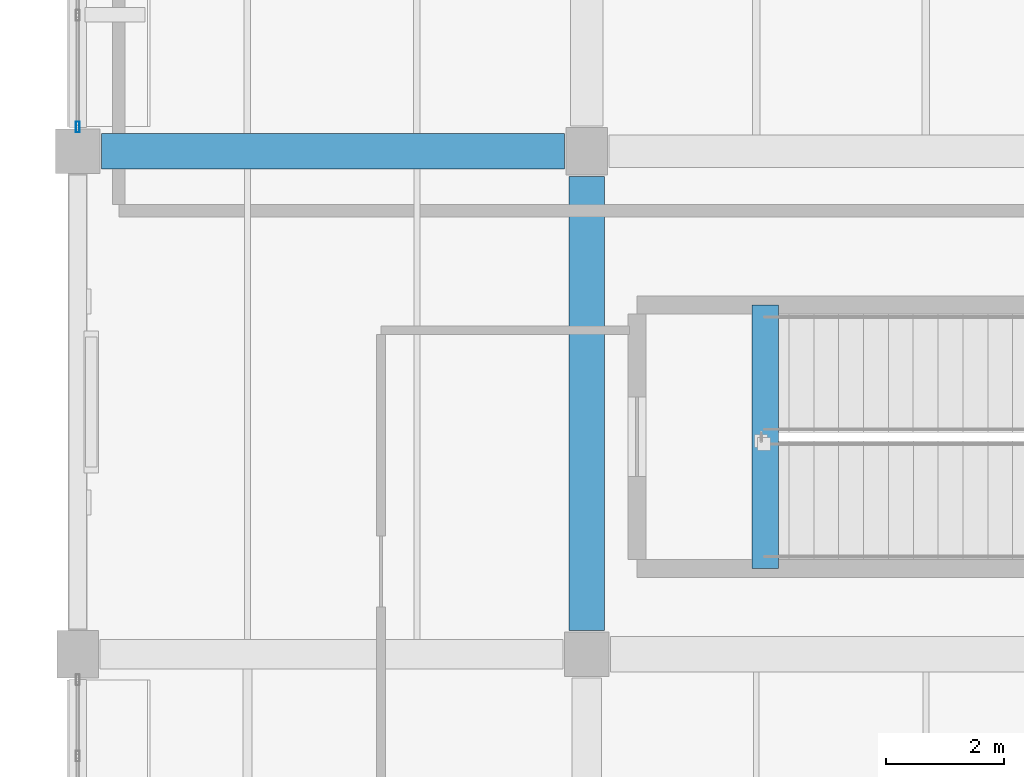
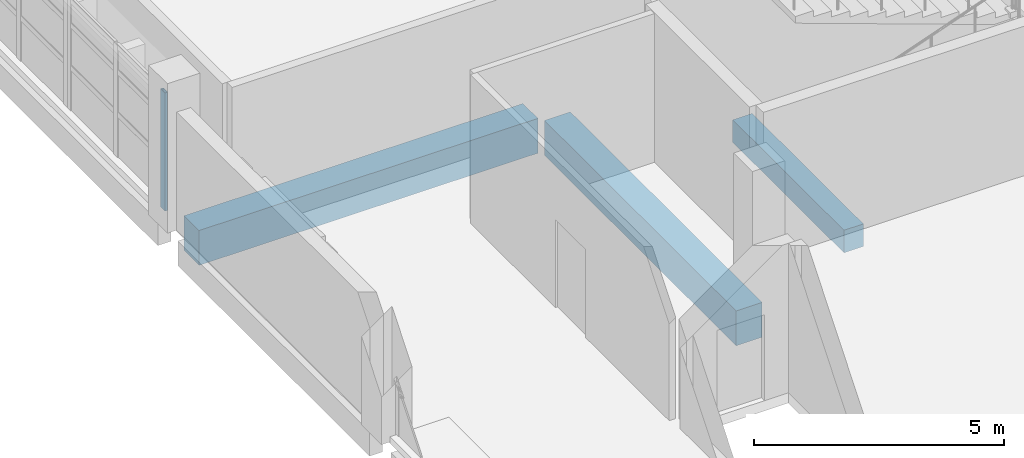
# One storey, part 16 of 80: 3 beams, 1 member, 1 element without a shape of its own.
"""IFC4 building model written with IfcOpenShell, lengths in metres."""

from ifc_helpers import new_model, si_unit, direction, frame, origin, origin_2d, place, context, subcontext, project, spatial, rectangle, hollow_rectangle, extrude, material, material_profile, profile_set, type_object, element, aggregate, save


model = new_model("IFC4")

# Units and contexts
model_context = context("Model", 3, precision=1e-05, world=origin(), true_north=direction((0.0, 1.0)))
body_context = subcontext(model_context, "Body", "Model", "MODEL_VIEW")
ifc_project = project(units=[si_unit("LENGTHUNIT", "METRE"), si_unit("AREAUNIT", "SQUARE_METRE"), si_unit("VOLUMEUNIT", "CUBIC_METRE"), si_unit("PLANEANGLEUNIT", "RADIAN"), si_unit("MASSUNIT", "GRAM", prefix="KILO")], contexts=[model_context])

# Site, building, storey
site_placement = place(None, origin())
site = spatial("IfcSite", under=ifc_project, at=site_placement, CompositionType="ELEMENT")
building_placement = place(site_placement, origin())
building = spatial("IfcBuilding", under=site, at=building_placement, Name="Varnakota Cinema and Media Centre", CompositionType="ELEMENT")
storey_placement = place(building_placement, frame((0.0, 0.0, 4.5)))
storey = spatial("IfcBuildingStorey", under=building, at=storey_placement, Name="L01", CompositionType="ELEMENT", Elevation=4.5)

# Beams
ifc_material_1 = material(Name="Concrete M40", Category="concrete")
ifc_material_profile_1 = material_profile(ifc_material_1, rectangle(XDim=0.449951171875, YDim=0.550048828125, at=origin_2d()), Name="RCB 450x550")
ifc_profile_set_1 = profile_set([ifc_material_profile_1], Name="Concrete M40")
beam_type_1 = type_object("IfcBeamType", Name="BM-RC-450x550", PredefinedType="BEAM", material=ifc_profile_set_1)
beam_1_placement = place(storey_placement, frame((11.6201171875, 45.449951171875, -0.27490234375), z_axis=(0.0, 1.0, 0.0), x_axis=(-1.0, 0.0, 0.0)))
element("IfcBeam", 1, at=beam_1_placement, inside=storey, type_object=beam_type_1, Name="L01 ST-03 stair arrival trimmer beam", PredefinedType="BEAM", context=body_context, shape_type="SweptSolid", body=[
    extrude(rectangle(XDim=0.449951171875, YDim=0.550048828125, at=origin_2d()), origin(), (0.0, 0.0, 1.0), 4.449951171875),
])
ifc_material_2 = material(Name="Concrete M35", Category="concrete")
ifc_material_profile_2 = material_profile(ifc_material_2, rectangle(XDim=0.60009765625, YDim=0.85009765625, at=origin_2d()), Name="RCB 600x850")
ifc_profile_set_2 = profile_set([ifc_material_profile_2], Name="Concrete M35")
beam_type_2 = type_object("IfcBeamType", Name="BM-RC-600x850", PredefinedType="BEAM", material=ifc_profile_set_2)
beam_2_placement = place(storey_placement, frame((0.39990234375, 52.5, -0.675048828125), z_axis=(1.0, 0.0, 0.0), x_axis=(0.0, 1.0, 0.0)))
element("IfcBeam", 2, at=beam_2_placement, inside=storey, type_object=beam_type_2, Name="L01 girder A-B/7", PredefinedType="BEAM", context=body_context, shape_type="SweptSolid", body=[
    extrude(rectangle(XDim=0.60009765625, YDim=0.85009765625, at=origin_2d()), origin(), (0.0, 0.0, 1.0), 7.8251953125),
])
beam_3_placement = place(storey_placement, frame((8.60009765625, 44.39990234375, -0.675048828125), z_axis=(0.0, 1.0, 0.0), x_axis=(-1.0, 0.0, 0.0)))
element("IfcBeam", 3, at=beam_3_placement, inside=storey, type_object=beam_type_2, Name="L01 girder B/6-7", PredefinedType="BEAM", context=body_context, shape_type="SweptSolid", body=[
    extrude(rectangle(XDim=0.60009765625, YDim=0.85009765625, at=origin_2d()), origin(), (0.0, 0.0, 1.0), 7.675048828125),
])

# Curtain wall, member
ifc_material_3 = material(Name="Thermally broken anodised aluminium AW-6063", Category="aluminium")
curtain_wall_type = type_object("IfcCurtainWallType", Name="CW-STD-384x288", PredefinedType="USERDEFINED", material=ifc_material_3)
curtain_wall_placement = place(storey_placement, origin())
curtain_wall = element("IfcCurtainWall", 4, at=curtain_wall_placement, inside=storey, type_object=curtain_wall_type, Name="L01 curtain wall CW-L01-V5-W-03-2", ObjectType="UNITISED CURTAIN WALL", PredefinedType="USERDEFINED")
ifc_material_4 = material(Name="Thermally broken anodised aluminium AW-6063", Category="aluminium")
ifc_material_profile_3 = material_profile(ifc_material_4, hollow_rectangle(XDim=0.06494140625, YDim=0.179931640625, WallThickness=0.00390625, InnerFilletRadius=0.00390625, OuterFilletRadius=0.008056640625, at=origin_2d()), Name="AL-MULLION 180x65x4")
ifc_profile_set_3 = profile_set([ifc_material_profile_3], Name="Thermally broken anodised aluminium AW-6063")
member_type = type_object("IfcMemberType", Name="CWM-AL-180", PredefinedType="MULLION", material=ifc_profile_set_3)
member_placement = place(storey_placement, frame((0.0, 52.907470703125, 0.0), z_axis=(0.0, 0.0, 1.0), x_axis=(1.0, 0.0, 0.0)))
member = element("IfcMember", 5, at=member_placement, type_object=member_type, Name="CW26 mullion 3", PredefinedType="MULLION", context=body_context, shape_type="SweptSolid", body=[
    extrude(hollow_rectangle(XDim=0.06494140625, YDim=0.179931640625, WallThickness=0.00390625, InnerFilletRadius=0.00390625, OuterFilletRadius=0.008056640625, at=origin_2d()), origin(), (0.0, 0.0, 1.0), 2.885009765625),
])
aggregate(curtain_wall, [member])

save(model, "model.ifc")
